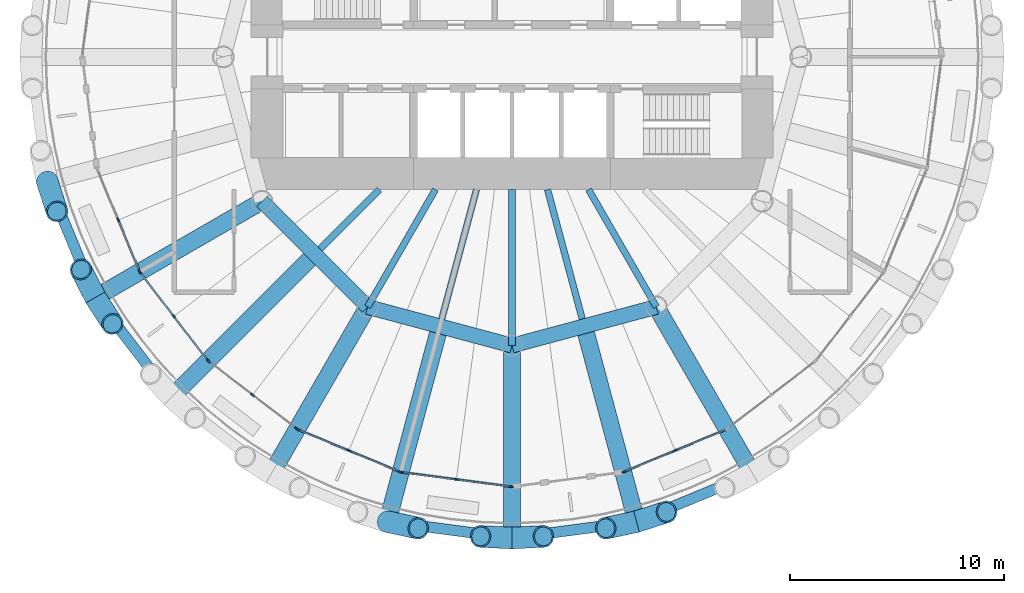
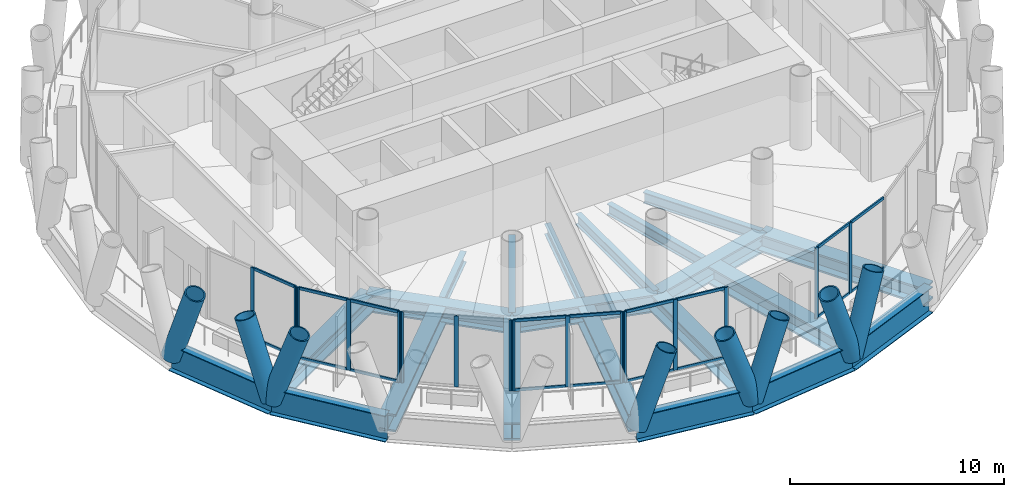
# One storey, part 2 of 14: 42 members, 21 beams, 6 elements without a shape of their own.
"""IFC4 building model written with IfcOpenShell, lengths in metres."""

from ifc_helpers import new_model, si_unit, direction, frame, origin, origin_2d, place, context, subcontext, project, spatial, rectangle, hollow_circle, i_section, extrude, material, material_profile, profile_set, type_object, element, aggregate, save


model = new_model("IFC4")

# Units and contexts
model_context = context("Model", 3, precision=1e-05, world=origin(), true_north=direction((0.0, 1.0)))
body_context = subcontext(model_context, "Body", "Model", "MODEL_VIEW")
ifc_project = project(units=[si_unit("LENGTHUNIT", "METRE"), si_unit("AREAUNIT", "SQUARE_METRE"), si_unit("VOLUMEUNIT", "CUBIC_METRE"), si_unit("PLANEANGLEUNIT", "RADIAN"), si_unit("MASSUNIT", "GRAM", prefix="KILO")], contexts=[model_context])

# Site, building, storey
site_placement = place(None, origin())
site = spatial("IfcSite", under=ifc_project, at=site_placement, CompositionType="ELEMENT")
building_placement = place(site_placement, origin())
building = spatial("IfcBuilding", under=site, at=building_placement, Name="Qaws Media Tower", CompositionType="ELEMENT")
storey_placement = place(building_placement, frame((0.0, 0.0, 227.60009765625)))
storey = spatial("IfcBuildingStorey", under=building, at=storey_placement, Name="L52", CompositionType="ELEMENT", Elevation=227.60009765625)

# Curtain wall, members
ifc_material_1 = material(Name="Aluminium and clear glass", Category="aluminium")
curtain_wall_type = type_object("IfcCurtainWallType", Name="Unitised curtain wall CW-C", PredefinedType="NOTDEFINED", material=ifc_material_1)
curtain_wall_1_placement = place(storey_placement, origin())
curtain_wall_1 = element("IfcCurtainWall", 1, at=curtain_wall_1_placement, inside=storey, type_object=curtain_wall_type, Name="CWC curtain wall L52-14", PredefinedType="NOTDEFINED")
ifc_material_2 = material(Name="Aluminium mullion", Category="aluminium")
ifc_material_profile_1 = material_profile(ifc_material_2, rectangle(XDim=0.080078125, YDim=0.199951171875, at=origin_2d()), Name="80x200")
ifc_profile_set_1 = profile_set([ifc_material_profile_1], Name="Aluminium mullion")
member_type_1 = type_object("IfcMemberType", Name="Curtain wall mullion 80x200", PredefinedType="MULLION", material=ifc_profile_set_1)
member_1_placement = place(storey_placement, frame((41.5888671875, 42.373779296875, 0.0), z_axis=(0.0, 0.0, 1.0), x_axis=(0.92387956029, 0.382683365302, 0.0)))
member_1 = element("IfcMember", 2, at=member_1_placement, type_object=member_type_1, Name="CWC mullion 2", PredefinedType="MULLION", context=body_context, shape_type="SweptSolid", body=[
    extrude(rectangle(XDim=0.080078125, YDim=0.199951171875, at=origin_2d()), origin(), (0.0, 0.0, 1.0), 4.039794921875),
])
member_2_placement = place(storey_placement, frame((42.57763671875, 39.987060546875, 0.0), z_axis=(0.0, 0.0, 1.0), x_axis=(0.92387956029, 0.382683365302, 0.0)))
member_2 = element("IfcMember", 3, at=member_2_placement, type_object=member_type_1, Name="CWC mullion 3", PredefinedType="MULLION", context=body_context, shape_type="SweptSolid", body=[
    extrude(rectangle(XDim=0.080078125, YDim=0.199951171875, at=origin_2d()), origin(), (0.0, 0.0, 1.0), 4.039794921875),
])

curtain_wall_2_placement = place(storey_placement, origin())
curtain_wall_2 = element("IfcCurtainWall", 4, at=curtain_wall_2_placement, inside=storey, type_object=curtain_wall_type, Name="CWC curtain wall L52-15", PredefinedType="NOTDEFINED")
member_3_placement = place(storey_placement, frame((42.6171875, 39.918212890625, 0.0), z_axis=(0.0, 0.0, 1.0), x_axis=(0.793353255855, 0.608761539048, 0.0)))
member_3 = element("IfcMember", 5, at=member_3_placement, type_object=member_type_1, Name="CWC mullion 1", PredefinedType="MULLION", context=body_context, shape_type="SweptSolid", body=[
    extrude(rectangle(XDim=0.080078125, YDim=0.199951171875, at=origin_2d()), origin(), (0.0, 0.0, 1.0), 4.039794921875),
])
member_4_placement = place(storey_placement, frame((44.18994140625, 37.86865234375, 0.0), z_axis=(0.0, 0.0, 1.0), x_axis=(0.793353255855, 0.608761539048, 0.0)))
member_4 = element("IfcMember", 6, at=member_4_placement, type_object=member_type_1, Name="CWC mullion 2", PredefinedType="MULLION", context=body_context, shape_type="SweptSolid", body=[
    extrude(rectangle(XDim=0.080078125, YDim=0.199951171875, at=origin_2d()), origin(), (0.0, 0.0, 1.0), 4.039794921875),
])
member_5_placement = place(storey_placement, frame((45.7626953125, 35.81884765625, 0.0), z_axis=(0.0, 0.0, 1.0), x_axis=(0.793353255855, 0.608761539048, 0.0)))
member_5 = element("IfcMember", 7, at=member_5_placement, type_object=member_type_1, Name="CWC mullion 3", PredefinedType="MULLION", context=body_context, shape_type="SweptSolid", body=[
    extrude(rectangle(XDim=0.080078125, YDim=0.199951171875, at=origin_2d()), origin(), (0.0, 0.0, 1.0), 4.039794921875),
])

curtain_wall_3_placement = place(storey_placement, origin())
curtain_wall_3 = element("IfcCurtainWall", 8, at=curtain_wall_3_placement, inside=storey, type_object=curtain_wall_type, Name="CWC curtain wall L52-16", PredefinedType="NOTDEFINED")
member_6_placement = place(storey_placement, frame((45.81884765625, 35.7626953125, 0.0), z_axis=(0.0, 0.0, 1.0), x_axis=(0.608761539048, 0.793353255855, 0.0)))
member_6 = element("IfcMember", 9, at=member_6_placement, type_object=member_type_1, Name="CWC mullion 1", PredefinedType="MULLION", context=body_context, shape_type="SweptSolid", body=[
    extrude(rectangle(XDim=0.080078125, YDim=0.199951171875, at=origin_2d()), origin(), (0.0, 0.0, 1.0), 4.039794921875),
])
member_7_placement = place(storey_placement, frame((47.86865234375, 34.18994140625, 0.0), z_axis=(0.0, 0.0, 1.0), x_axis=(0.608761539048, 0.793353255855, 0.0)))
member_7 = element("IfcMember", 10, at=member_7_placement, type_object=member_type_1, Name="CWC mullion 2", PredefinedType="MULLION", context=body_context, shape_type="SweptSolid", body=[
    extrude(rectangle(XDim=0.080078125, YDim=0.199951171875, at=origin_2d()), origin(), (0.0, 0.0, 1.0), 4.039794921875),
])
member_8_placement = place(storey_placement, frame((49.918212890625, 32.6171875, 0.0), z_axis=(0.0, 0.0, 1.0), x_axis=(0.608761539048, 0.793353255855, 0.0)))
member_8 = element("IfcMember", 11, at=member_8_placement, type_object=member_type_1, Name="CWC mullion 3", PredefinedType="MULLION", context=body_context, shape_type="SweptSolid", body=[
    extrude(rectangle(XDim=0.080078125, YDim=0.199951171875, at=origin_2d()), origin(), (0.0, 0.0, 1.0), 4.039794921875),
])
aggregate(curtain_wall_3, [member_6, member_7, member_8])

curtain_wall_4_placement = place(storey_placement, origin())
curtain_wall_4 = element("IfcCurtainWall", 12, at=curtain_wall_4_placement, inside=storey, type_object=curtain_wall_type, Name="CWC curtain wall L52-17", PredefinedType="NOTDEFINED")
member_9_placement = place(storey_placement, frame((49.987060546875, 32.57763671875, 0.0), z_axis=(0.0, 0.0, 1.0), x_axis=(0.382683365302, 0.92387956029, 0.0)))
member_9 = element("IfcMember", 13, at=member_9_placement, type_object=member_type_1, Name="CWC mullion 1", PredefinedType="MULLION", context=body_context, shape_type="SweptSolid", body=[
    extrude(rectangle(XDim=0.080078125, YDim=0.199951171875, at=origin_2d()), origin(), (0.0, 0.0, 1.0), 4.039794921875),
])
member_10_placement = place(storey_placement, frame((52.373779296875, 31.5888671875, 0.0), z_axis=(0.0, 0.0, 1.0), x_axis=(0.382683365302, 0.92387956029, 0.0)))
member_10 = element("IfcMember", 14, at=member_10_placement, type_object=member_type_1, Name="CWC mullion 2", PredefinedType="MULLION", context=body_context, shape_type="SweptSolid", body=[
    extrude(rectangle(XDim=0.080078125, YDim=0.199951171875, at=origin_2d()), origin(), (0.0, 0.0, 1.0), 4.039794921875),
])
member_11_placement = place(storey_placement, frame((54.7607421875, 30.60009765625, 0.0), z_axis=(0.0, 0.0, 1.0), x_axis=(0.382683365302, 0.92387956029, 0.0)))
member_11 = element("IfcMember", 15, at=member_11_placement, type_object=member_type_1, Name="CWC mullion 3", PredefinedType="MULLION", context=body_context, shape_type="SweptSolid", body=[
    extrude(rectangle(XDim=0.080078125, YDim=0.199951171875, at=origin_2d()), origin(), (0.0, 0.0, 1.0), 4.039794921875),
])

curtain_wall_5_placement = place(storey_placement, origin())
curtain_wall_5 = element("IfcCurtainWall", 16, at=curtain_wall_5_placement, inside=storey, type_object=curtain_wall_type, Name="CWC curtain wall L52-18", PredefinedType="NOTDEFINED")
member_12_placement = place(storey_placement, frame((54.83740234375, 30.57958984375, 0.0), z_axis=(0.0, 0.0, 1.0), x_axis=(0.130526207759, 0.991444859328, 0.0)))
member_12 = element("IfcMember", 17, at=member_12_placement, type_object=member_type_1, Name="CWC mullion 1", PredefinedType="MULLION", context=body_context, shape_type="SweptSolid", body=[
    extrude(rectangle(XDim=0.080078125, YDim=0.199951171875, at=origin_2d()), origin(), (0.0, 0.0, 1.0), 4.039794921875),
])
member_13_placement = place(storey_placement, frame((57.39892578125, 30.242431640625, 0.0), z_axis=(0.0, 0.0, 1.0), x_axis=(0.130526207759, 0.991444859328, 0.0)))
member_13 = element("IfcMember", 18, at=member_13_placement, type_object=member_type_1, Name="CWC mullion 2", PredefinedType="MULLION", context=body_context, shape_type="SweptSolid", body=[
    extrude(rectangle(XDim=0.080078125, YDim=0.199951171875, at=origin_2d()), origin(), (0.0, 0.0, 1.0), 4.039794921875),
])
member_14_placement = place(storey_placement, frame((59.96044921875, 29.9052734375, 0.0), z_axis=(0.0, 0.0, 1.0), x_axis=(0.130526207759, 0.991444859328, 0.0)))
member_14 = element("IfcMember", 19, at=member_14_placement, type_object=member_type_1, Name="CWC mullion 3", PredefinedType="MULLION", context=body_context, shape_type="SweptSolid", body=[
    extrude(rectangle(XDim=0.080078125, YDim=0.199951171875, at=origin_2d()), origin(), (0.0, 0.0, 1.0), 4.039794921875),
])

curtain_wall_6_placement = place(storey_placement, origin())
curtain_wall_6 = element("IfcCurtainWall", 20, at=curtain_wall_6_placement, inside=storey, type_object=curtain_wall_type, Name="CWC curtain wall L52-20", PredefinedType="NOTDEFINED")
member_15_placement = place(storey_placement, frame((65.2392578125, 30.60009765625, 0.0), z_axis=(0.0, 0.0, 1.0), x_axis=(-0.382683365302, 0.92387956029, 0.0)))
member_15 = element("IfcMember", 21, at=member_15_placement, type_object=member_type_1, Name="CWC mullion 1", PredefinedType="MULLION", context=body_context, shape_type="SweptSolid", body=[
    extrude(rectangle(XDim=0.080078125, YDim=0.199951171875, at=origin_2d()), origin(), (0.0, 0.0, 1.0), 4.039794921875),
])
member_16_placement = place(storey_placement, frame((67.626220703125, 31.5888671875, 0.0), z_axis=(0.0, 0.0, 1.0), x_axis=(-0.382683365302, 0.92387956029, 0.0)))
member_16 = element("IfcMember", 22, at=member_16_placement, type_object=member_type_1, Name="CWC mullion 2", PredefinedType="MULLION", context=body_context, shape_type="SweptSolid", body=[
    extrude(rectangle(XDim=0.080078125, YDim=0.199951171875, at=origin_2d()), origin(), (0.0, 0.0, 1.0), 4.039794921875),
])

# Member
ifc_material_3 = material(Name="Aluminium transom", Category="aluminium")
ifc_material_profile_2 = material_profile(ifc_material_3, rectangle(XDim=0.080078125, YDim=0.159912109375, at=origin_2d()), Name="80x160")
ifc_profile_set_2 = profile_set([ifc_material_profile_2], Name="Aluminium transom")
member_type_2 = type_object("IfcMemberType", Name="Curtain wall transom 80x160", PredefinedType="USERDEFINED", material=ifc_profile_set_2)
member_17_placement = place(storey_placement, frame((41.604248046875, 42.3369140625, 0.039794921875), z_axis=(0.382661849723, -0.923888472039, 0.0), x_axis=(0.923888472039, 0.382661849723, 0.0)))
member_17 = element("IfcMember", 23, at=member_17_placement, type_object=member_type_2, Name="CWC transom 2.1", ObjectType="TRANSOM", PredefinedType="USERDEFINED", context=body_context, shape_type="SweptSolid", body=[
    extrude(rectangle(XDim=0.080078125, YDim=0.159912109375, at=origin_2d()), origin(), (0.0, 0.0, 1.0), 2.50341796875),
])

member_18_placement = place(storey_placement, frame((41.604248046875, 42.3369140625, 4.0), z_axis=(0.382661849723, -0.923888472039, 0.0), x_axis=(0.923888472039, 0.382661849723, 0.0)))
member_18 = element("IfcMember", 24, at=member_18_placement, type_object=member_type_2, Name="CWC transom 2.2", ObjectType="TRANSOM", PredefinedType="USERDEFINED", context=body_context, shape_type="SweptSolid", body=[
    extrude(rectangle(XDim=0.080078125, YDim=0.159912109375, at=origin_2d()), origin(), (0.0, 0.0, 1.0), 2.50341796875),
])

aggregate(curtain_wall_1, [member_1, member_2, member_17, member_18])

member_19_placement = place(storey_placement, frame((42.6416015625, 39.886474609375, 0.039794921875), z_axis=(0.608810221501, -0.793315898111, 0.0), x_axis=(0.793315898111, 0.608810221501, 0.0)))
member_19 = element("IfcMember", 25, at=member_19_placement, type_object=member_type_2, Name="CWC transom 1.1", ObjectType="TRANSOM", PredefinedType="USERDEFINED", context=body_context, shape_type="SweptSolid", body=[
    extrude(rectangle(XDim=0.080078125, YDim=0.159912109375, at=origin_2d()), origin(), (0.0, 0.0, 1.0), 2.50341796875),
])

member_20_placement = place(storey_placement, frame((42.6416015625, 39.886474609375, 4.0), z_axis=(0.608810221501, -0.793315898111, 0.0), x_axis=(0.793315898111, 0.608810221501, 0.0)))
member_20 = element("IfcMember", 26, at=member_20_placement, type_object=member_type_2, Name="CWC transom 1.2", ObjectType="TRANSOM", PredefinedType="USERDEFINED", context=body_context, shape_type="SweptSolid", body=[
    extrude(rectangle(XDim=0.080078125, YDim=0.159912109375, at=origin_2d()), origin(), (0.0, 0.0, 1.0), 2.50341796875),
])

member_21_placement = place(storey_placement, frame((44.21435546875, 37.8369140625, 0.039794921875), z_axis=(0.608763124529, -0.79335203927, 0.0), x_axis=(0.79335203927, 0.608763124529, 0.0)))
member_21 = element("IfcMember", 27, at=member_21_placement, type_object=member_type_2, Name="CWC transom 2.1", ObjectType="TRANSOM", PredefinedType="USERDEFINED", context=body_context, shape_type="SweptSolid", body=[
    extrude(rectangle(XDim=0.080078125, YDim=0.159912109375, at=origin_2d()), origin(), (0.0, 0.0, 1.0), 2.503662109375),
])

member_22_placement = place(storey_placement, frame((44.21435546875, 37.8369140625, 4.0), z_axis=(0.608763124529, -0.79335203927, 0.0), x_axis=(0.79335203927, 0.608763124529, 0.0)))
member_22 = element("IfcMember", 28, at=member_22_placement, type_object=member_type_2, Name="CWC transom 2.2", ObjectType="TRANSOM", PredefinedType="USERDEFINED", context=body_context, shape_type="SweptSolid", body=[
    extrude(rectangle(XDim=0.080078125, YDim=0.159912109375, at=origin_2d()), origin(), (0.0, 0.0, 1.0), 2.503662109375),
])

aggregate(curtain_wall_2, [member_3, member_4, member_5, member_19, member_20, member_21, member_22])

member_23_placement = place(storey_placement, frame((50.02392578125, 32.562255859375, 0.039794921875), z_axis=(0.923888472039, -0.382661849723, 0.0), x_axis=(0.382661849723, 0.923888472039, 0.0)))
member_23 = element("IfcMember", 29, at=member_23_placement, type_object=member_type_2, Name="CWC transom 1.1", ObjectType="TRANSOM", PredefinedType="USERDEFINED", context=body_context, shape_type="SweptSolid", body=[
    extrude(rectangle(XDim=0.080078125, YDim=0.159912109375, at=origin_2d()), origin(), (0.0, 0.0, 1.0), 2.50341796875),
])

member_24_placement = place(storey_placement, frame((50.02392578125, 32.562255859375, 4.0), z_axis=(0.923888472039, -0.382661849723, 0.0), x_axis=(0.382661849723, 0.923888472039, 0.0)))
member_24 = element("IfcMember", 30, at=member_24_placement, type_object=member_type_2, Name="CWC transom 1.2", ObjectType="TRANSOM", PredefinedType="USERDEFINED", context=body_context, shape_type="SweptSolid", body=[
    extrude(rectangle(XDim=0.080078125, YDim=0.159912109375, at=origin_2d()), origin(), (0.0, 0.0, 1.0), 2.50341796875),
])

member_25_placement = place(storey_placement, frame((52.410888671875, 31.573486328125, 0.039794921875), z_axis=(0.923888472039, -0.382661849723, 0.0), x_axis=(0.382661849723, 0.923888472039, 0.0)))
member_25 = element("IfcMember", 31, at=member_25_placement, type_object=member_type_2, Name="CWC transom 2.1", ObjectType="TRANSOM", PredefinedType="USERDEFINED", context=body_context, shape_type="SweptSolid", body=[
    extrude(rectangle(XDim=0.080078125, YDim=0.159912109375, at=origin_2d()), origin(), (0.0, 0.0, 1.0), 2.50341796875),
])

member_26_placement = place(storey_placement, frame((52.410888671875, 31.573486328125, 4.0), z_axis=(0.923888472039, -0.382661849723, 0.0), x_axis=(0.382661849723, 0.923888472039, 0.0)))
member_26 = element("IfcMember", 32, at=member_26_placement, type_object=member_type_2, Name="CWC transom 2.2", ObjectType="TRANSOM", PredefinedType="USERDEFINED", context=body_context, shape_type="SweptSolid", body=[
    extrude(rectangle(XDim=0.080078125, YDim=0.159912109375, at=origin_2d()), origin(), (0.0, 0.0, 1.0), 2.50341796875),
])

aggregate(curtain_wall_4, [member_9, member_10, member_11, member_23, member_24, member_25, member_26])

member_27_placement = place(storey_placement, frame((54.876953125, 30.574462890625, 0.039794921875), z_axis=(0.991438688651, -0.130573070139, 0.0), x_axis=(0.130573070139, 0.991438688651, 0.0)))
member_27 = element("IfcMember", 33, at=member_27_placement, type_object=member_type_2, Name="CWC transom 1.1", ObjectType="TRANSOM", PredefinedType="USERDEFINED", context=body_context, shape_type="SweptSolid", body=[
    extrude(rectangle(XDim=0.080078125, YDim=0.159912109375, at=origin_2d()), origin(), (0.0, 0.0, 1.0), 2.503662109375),
])

member_28_placement = place(storey_placement, frame((54.876953125, 30.574462890625, 4.0), z_axis=(0.991438688651, -0.130573070139, 0.0), x_axis=(0.130573070139, 0.991438688651, 0.0)))
member_28 = element("IfcMember", 34, at=member_28_placement, type_object=member_type_2, Name="CWC transom 1.2", ObjectType="TRANSOM", PredefinedType="USERDEFINED", context=body_context, shape_type="SweptSolid", body=[
    extrude(rectangle(XDim=0.080078125, YDim=0.159912109375, at=origin_2d()), origin(), (0.0, 0.0, 1.0), 2.503662109375),
])

member_29_placement = place(storey_placement, frame((57.4384765625, 30.2373046875, 0.039794921875), z_axis=(0.991438688651, -0.130573070139, 0.0), x_axis=(0.130573070139, 0.991438688651, 0.0)))
member_29 = element("IfcMember", 35, at=member_29_placement, type_object=member_type_2, Name="CWC transom 2.1", ObjectType="TRANSOM", PredefinedType="USERDEFINED", context=body_context, shape_type="SweptSolid", body=[
    extrude(rectangle(XDim=0.080078125, YDim=0.159912109375, at=origin_2d()), origin(), (0.0, 0.0, 1.0), 2.503662109375),
])

member_30_placement = place(storey_placement, frame((57.4384765625, 30.2373046875, 4.0), z_axis=(0.991438688651, -0.130573070139, 0.0), x_axis=(0.130573070139, 0.991438688651, 0.0)))
member_30 = element("IfcMember", 36, at=member_30_placement, type_object=member_type_2, Name="CWC transom 2.2", ObjectType="TRANSOM", PredefinedType="USERDEFINED", context=body_context, shape_type="SweptSolid", body=[
    extrude(rectangle(XDim=0.080078125, YDim=0.159912109375, at=origin_2d()), origin(), (0.0, 0.0, 1.0), 2.503662109375),
])

aggregate(curtain_wall_5, [member_12, member_13, member_14, member_27, member_28, member_29, member_30])

member_31_placement = place(storey_placement, frame((65.276123046875, 30.615478515625, 0.039794921875), z_axis=(0.923888472039, 0.382661849723, 0.0), x_axis=(-0.382661849723, 0.923888472039, 0.0)))
member_31 = element("IfcMember", 37, at=member_31_placement, type_object=member_type_2, Name="CWC transom 1.1", ObjectType="TRANSOM", PredefinedType="USERDEFINED", context=body_context, shape_type="SweptSolid", body=[
    extrude(rectangle(XDim=0.080078125, YDim=0.159912109375, at=origin_2d()), origin(), (0.0, 0.0, 1.0), 2.50341796875),
])

member_32_placement = place(storey_placement, frame((65.276123046875, 30.615478515625, 4.0), z_axis=(0.923888472039, 0.382661849723, 0.0), x_axis=(-0.382661849723, 0.923888472039, 0.0)))
member_32 = element("IfcMember", 38, at=member_32_placement, type_object=member_type_2, Name="CWC transom 1.2", ObjectType="TRANSOM", PredefinedType="USERDEFINED", context=body_context, shape_type="SweptSolid", body=[
    extrude(rectangle(XDim=0.080078125, YDim=0.159912109375, at=origin_2d()), origin(), (0.0, 0.0, 1.0), 2.50341796875),
])

member_33_placement = place(storey_placement, frame((67.6630859375, 31.604248046875, 0.039794921875), z_axis=(0.923888472039, 0.382661849723, 0.0), x_axis=(-0.382661849723, 0.923888472039, 0.0)))
member_33 = element("IfcMember", 39, at=member_33_placement, type_object=member_type_2, Name="CWC transom 2.1", ObjectType="TRANSOM", PredefinedType="USERDEFINED", context=body_context, shape_type="SweptSolid", body=[
    extrude(rectangle(XDim=0.080078125, YDim=0.159912109375, at=origin_2d()), origin(), (0.0, 0.0, 1.0), 2.50341796875),
])

member_34_placement = place(storey_placement, frame((67.6630859375, 31.604248046875, 4.0), z_axis=(0.923888472039, 0.382661849723, 0.0), x_axis=(-0.382661849723, 0.923888472039, 0.0)))
member_34 = element("IfcMember", 40, at=member_34_placement, type_object=member_type_2, Name="CWC transom 2.2", ObjectType="TRANSOM", PredefinedType="USERDEFINED", context=body_context, shape_type="SweptSolid", body=[
    extrude(rectangle(XDim=0.080078125, YDim=0.159912109375, at=origin_2d()), origin(), (0.0, 0.0, 1.0), 2.50341796875),
])

aggregate(curtain_wall_6, [member_15, member_16, member_31, member_32, member_33, member_34])

# Members
ifc_material_4 = material(Name="Steel S460", Category="steel")
ifc_material_profile_3 = material_profile(ifc_material_4, hollow_circle(Radius=0.508056640625, WallThickness=0.070068359375, at=origin_2d()), Name="CHS 1016x70")
ifc_profile_set_3 = profile_set([ifc_material_profile_3], Name="Steel S460")
member_type_3 = type_object("IfcMemberType", Name="Diagrid member CHS 1016x70", PredefinedType="USERDEFINED", material=ifc_profile_set_3)
for number, where, z_axis, x_axis, name in (
    (41, (38.2666015625, 44.176513671875, -0.91015625), (0.101378983785, -0.314779550303, 0.943735204577), (0.951852353901, 0.306556840364, 0.0), "DG3 diagrid L52 A14"),
    (42, (40.514404296875, 38.75, -0.91015625), (0.179388879752, -0.277805898185, 0.943739112655), (0.84007717777, 0.542466897967, 0.0), "DG3 diagrid L52 A15"),
    (43, (40.514404296875, 38.75, -0.91015625), (-0.150916271681, 0.294262043365, 0.94373414094), (-0.889801918765, -0.456346957219, 0.0), "DG3 diagrid L52 B15"),
    (44, (54.176513671875, 28.2666015625, -0.91015625), (0.323283600467, -0.06961596623, 0.943737956699), (0.210514612597, 0.977590710821, 0.0), "DG3 diagrid L52 A18"),
    (45, (60.0, 27.5, -0.91015625), (0.330303240189, 0.016457560548, 0.943731380331), (-0.049763876967, 0.998761010727, 0.0), "DG3 diagrid L52 A19"),
    (46, (60.0, 27.5, -0.91015625), (-0.330303240189, 0.016457560548, 0.943731380331), (-0.049763876967, -0.998761010727, 0.0), "DG3 diagrid L52 B19"),
    (47, (65.823486328125, 28.2666015625, -0.91015625), (0.314779550303, 0.101378983785, 0.943735204577), (-0.306556840364, 0.951852353901, 0.0), "DG3 diagrid L52 A20"),
    (48, (65.823486328125, 28.2666015625, -0.91015625), (-0.323283600467, -0.06961596623, 0.943737956699), (0.210514612597, -0.977590710821, 0.0), "DG3 diagrid L52 B20"),
):
    element("IfcMember", number, at=place(storey_placement, frame(where, z_axis=z_axis, x_axis=x_axis)), inside=storey, type_object=member_type_3, Name=name, ObjectType="DIAGRID", PredefinedType="USERDEFINED", context=body_context, shape_type="SweptSolid", body=[
        extrude(hollow_circle(Radius=0.508056640625, WallThickness=0.070068359375, at=origin_2d()), origin(), (0.0, 0.0, 1.0), 4.450439453125),
    ])

# Beams
ifc_material_5 = material(Name="Steel S460", Category="steel")
ifc_material_profile_4 = material_profile(ifc_material_5, i_section(OverallWidth=0.5, OverallDepth=1.5, WebThickness=0.02001953125, FlangeThickness=0.0400390625, at=origin_2d()), Name="PG 1500x500")
ifc_profile_set_4 = profile_set([ifc_material_profile_4], Name="Steel S460")
beam_type_1 = type_object("IfcBeamType", Name="Edge ring beam PG 1500x500", PredefinedType="BEAM", material=ifc_profile_set_4)
beam_1_placement = place(storey_placement, frame((38.2666015625, 44.176513671875, -0.91015625), z_axis=(0.382693194178, -0.923875488976, 0.0), x_axis=(0.923875488976, 0.382693194178, 0.0)))
element("IfcBeam", 49, at=beam_1_placement, inside=storey, type_object=beam_type_1, Name="RB4 edge ring beam L52-14", PredefinedType="BEAM", context=body_context, shape_type="SweptSolid", body=[
    extrude(i_section(OverallWidth=0.5, OverallDepth=1.5, WebThickness=0.02001953125, FlangeThickness=0.0400390625, at=origin_2d()), origin(), (0.0, 0.0, 1.0), 5.87353515625),
])
for number, where, z_axis, x_axis, name in (
    (50, (40.514404296875, 38.75, -0.91015625), (0.608762208108, -0.793352742466, 0.0), (0.793352742466, 0.608762208108, 0.0), "RB4 edge ring beam L52-15"),
    (51, (54.176513671875, 28.2666015625, -0.91015625), (0.991446512747, -0.13051364818, 0.0), (0.13051364818, 0.991446512747, 0.0), "RB4 edge ring beam L52-18"),
    (52, (60.0, 27.5, -0.91015625), (0.991446512747, 0.13051364818, 0.0), (-0.13051364818, 0.991446512747, 0.0), "RB4 edge ring beam L52-19"),
):
    element("IfcBeam", number, at=place(storey_placement, frame(where, z_axis=z_axis, x_axis=x_axis)), inside=storey, type_object=beam_type_1, Name=name, PredefinedType="BEAM", context=body_context, shape_type="SweptSolid", body=[
        extrude(i_section(OverallWidth=0.5, OverallDepth=1.5, WebThickness=0.02001953125, FlangeThickness=0.0400390625, at=origin_2d()), origin(), (0.0, 0.0, 1.0), 5.873779296875),
    ])
beam_2_placement = place(storey_placement, frame((65.823486328125, 28.2666015625, -0.91015625), z_axis=(0.923875488976, 0.382693194178, 0.0), x_axis=(-0.382693194178, 0.923875488976, 0.0)))
element("IfcBeam", 53, at=beam_2_placement, inside=storey, type_object=beam_type_1, Name="RB4 edge ring beam L52-20", PredefinedType="BEAM", context=body_context, shape_type="SweptSolid", body=[
    extrude(i_section(OverallWidth=0.5, OverallDepth=1.5, WebThickness=0.02001953125, FlangeThickness=0.0400390625, at=origin_2d()), origin(), (0.0, 0.0, 1.0), 5.87353515625),
])
ifc_material_6 = material(Name="Steel S460", Category="steel")
ifc_material_profile_5 = material_profile(ifc_material_6, i_section(OverallWidth=0.699951171875, OverallDepth=1.0, WebThickness=0.034912109375, FlangeThickness=0.090087890625, at=origin_2d()), Name="PG 1000x700")
ifc_profile_set_5 = profile_set([ifc_material_profile_5], Name="Steel S460")
beam_type_2 = type_object("IfcBeamType", Name="Inner ring girder PG 1000x700", PredefinedType="BEAM", material=ifc_profile_set_5)
beam_3_placement = place(storey_placement, frame((48.30859375, 43.25, -0.66015625), z_axis=(0.707106781187, -0.707106781187, 0.0), x_axis=(0.707106781187, 0.707106781187, 0.0)))
element("IfcBeam", 54, at=beam_3_placement, inside=storey, type_object=beam_type_2, Name="B3 inner ring beam L52 I08-I09", PredefinedType="BEAM", context=body_context, shape_type="SweptSolid", body=[
    extrude(i_section(OverallWidth=0.699951171875, OverallDepth=1.0, WebThickness=0.034912109375, FlangeThickness=0.090087890625, at=origin_2d()), origin(), (0.0, 0.0, 1.0), 6.98828125),
])
for number, where, z_axis, x_axis, name in (
    (55, (53.25, 38.30859375, -0.66015625), (0.965928090778, -0.258810593767, 0.0), (0.258810593767, 0.965928090778, 0.0), "B3 inner ring beam L52 I09-I10"),
    (56, (60.0, 36.5, -0.66015625), (0.965928090778, 0.258810593767, 0.0), (-0.258810593767, 0.965928090778, 0.0), "B3 inner ring beam L52 I10-I11"),
):
    element("IfcBeam", number, at=place(storey_placement, frame(where, z_axis=z_axis, x_axis=x_axis)), inside=storey, type_object=beam_type_2, Name=name, PredefinedType="BEAM", context=body_context, shape_type="SweptSolid", body=[
        extrude(i_section(OverallWidth=0.699951171875, OverallDepth=1.0, WebThickness=0.034912109375, FlangeThickness=0.090087890625, at=origin_2d()), origin(), (0.0, 0.0, 1.0), 6.988037109375),
    ])
ifc_material_7 = material(Name="Steel S355", Category="steel")
ifc_material_profile_6 = material_profile(ifc_material_7, i_section(OverallWidth=0.304931640625, OverallDepth=0.6201171875, WebThickness=0.02099609375, FlangeThickness=0.0400390625, FilletRadius=0.027099609375, at=origin_2d()), Name="HE 600 M")
ifc_profile_set_6 = profile_set([ifc_material_profile_6], Name="Steel S355")
beam_type_3 = type_object("IfcBeamType", Name="Radial beam HE 600 M, core side", PredefinedType="BEAM", material=ifc_profile_set_6)
beam_4_placement = place(storey_placement, frame((53.800048828125, 43.800048828125, -0.47021484375), z_axis=(-0.707106781187, -0.707106781187, 0.0), x_axis=(0.707106781187, -0.707106781187, 0.0)))
element("IfcBeam", 57, at=beam_4_placement, inside=storey, type_object=beam_type_3, Name="B2 radial beam L52 16", PredefinedType="BEAM", context=body_context, shape_type="SweptSolid", body=[
    extrude(i_section(OverallWidth=0.304931640625, OverallDepth=0.6201171875, WebThickness=0.02099609375, FlangeThickness=0.0400390625, FilletRadius=0.027099609375, at=origin_2d()), origin(), (0.0, 0.0, 1.0), 3.921875),
])
beam_5_placement = place(storey_placement, frame((56.42041015625, 43.800048828125, -0.47021484375), z_axis=(-0.499990193304, -0.866031065609, 0.0), x_axis=(0.866031065609, -0.499990193304, 0.0)))
element("IfcBeam", 58, at=beam_5_placement, inside=storey, type_object=beam_type_3, Name="B2 radial beam L52 17", PredefinedType="BEAM", context=body_context, shape_type="SweptSolid", body=[
    extrude(i_section(OverallWidth=0.304931640625, OverallDepth=0.6201171875, WebThickness=0.02099609375, FlangeThickness=0.0400390625, FilletRadius=0.027099609375, at=origin_2d()), origin(), (0.0, 0.0, 1.0), 6.341064453125),
])
beam_6_placement = place(storey_placement, frame((58.338623046875, 43.800048828125, -0.47021484375), z_axis=(-0.258806137559, -0.965929284763, 0.0), x_axis=(0.965929284763, -0.258806137559, 0.0)))
element("IfcBeam", 59, at=beam_6_placement, inside=storey, type_object=beam_type_3, Name="B2 radial beam L52 18", PredefinedType="BEAM", context=body_context, shape_type="SweptSolid", body=[
    extrude(i_section(OverallWidth=0.304931640625, OverallDepth=0.6201171875, WebThickness=0.02099609375, FlangeThickness=0.0400390625, FilletRadius=0.027099609375, at=origin_2d()), origin(), (0.0, 0.0, 1.0), 6.271240234375),
])
beam_7_placement = place(storey_placement, frame((60.0, 43.800048828125, -0.47021484375), z_axis=(0.0, -1.0, 0.0), x_axis=(1.0, 0.0, 0.0)))
element("IfcBeam", 60, at=beam_7_placement, inside=storey, type_object=beam_type_3, Name="B2 radial beam L52 19", PredefinedType="BEAM", context=body_context, shape_type="SweptSolid", body=[
    extrude(i_section(OverallWidth=0.304931640625, OverallDepth=0.6201171875, WebThickness=0.02099609375, FlangeThickness=0.0400390625, FilletRadius=0.027099609375, at=origin_2d()), origin(), (0.0, 0.0, 1.0), 7.300048828125),
])
beam_8_placement = place(storey_placement, frame((61.661376953125, 43.800048828125, -0.47021484375), z_axis=(0.258806137559, -0.965929284763, 0.0), x_axis=(0.965929284763, 0.258806137559, 0.0)))
element("IfcBeam", 61, at=beam_8_placement, inside=storey, type_object=beam_type_3, Name="B2 radial beam L52 20", PredefinedType="BEAM", context=body_context, shape_type="SweptSolid", body=[
    extrude(i_section(OverallWidth=0.304931640625, OverallDepth=0.6201171875, WebThickness=0.02099609375, FlangeThickness=0.0400390625, FilletRadius=0.027099609375, at=origin_2d()), origin(), (0.0, 0.0, 1.0), 6.271240234375),
])
beam_9_placement = place(storey_placement, frame((63.57958984375, 43.800048828125, -0.47021484375), z_axis=(0.499990193304, -0.866031065609, 0.0), x_axis=(0.866031065609, 0.499990193304, 0.0)))
element("IfcBeam", 62, at=beam_9_placement, inside=storey, type_object=beam_type_3, Name="B2 radial beam L52 21", PredefinedType="BEAM", context=body_context, shape_type="SweptSolid", body=[
    extrude(i_section(OverallWidth=0.304931640625, OverallDepth=0.6201171875, WebThickness=0.02099609375, FlangeThickness=0.0400390625, FilletRadius=0.027099609375, at=origin_2d()), origin(), (0.0, 0.0, 1.0), 6.341064453125),
])
ifc_material_8 = material(Name="Steel S460", Category="steel")
ifc_material_profile_7 = material_profile(ifc_material_8, i_section(OverallWidth=0.800048828125, OverallDepth=1.0, WebThickness=0.0400390625, FlangeThickness=0.10009765625, at=origin_2d()), Name="PG 1000x800")
ifc_profile_set_7 = profile_set([ifc_material_profile_7], Name="Steel S460")
beam_type_4 = type_object("IfcBeamType", Name="Radial girder PG 1000x800", PredefinedType="BEAM", material=ifc_profile_set_7)
beam_10_placement = place(storey_placement, frame((48.30859375, 43.25, -0.66015625), z_axis=(-0.866024315419, -0.5000018851, 0.0), x_axis=(0.5000018851, -0.866024315419, 0.0)))
element("IfcBeam", 63, at=beam_10_placement, inside=storey, type_object=beam_type_4, Name="B1 radial beam L52 15", PredefinedType="BEAM", context=body_context, shape_type="SweptSolid", body=[
    extrude(i_section(OverallWidth=0.800048828125, OverallDepth=1.0, WebThickness=0.0400390625, FlangeThickness=0.10009765625, at=origin_2d()), origin(), (0.0, 0.0, 1.0), 9.0),
])
beam_11_placement = place(storey_placement, frame((50.53173828125, 40.53173828125, -0.66015625), z_axis=(-0.707106781187, -0.707106781187, 0.0), x_axis=(0.707106781187, -0.707106781187, 0.0)))
element("IfcBeam", 64, at=beam_11_placement, inside=storey, type_object=beam_type_4, Name="B1 radial beam L52 16", PredefinedType="BEAM", context=body_context, shape_type="SweptSolid", body=[
    extrude(i_section(OverallWidth=0.800048828125, OverallDepth=1.0, WebThickness=0.0400390625, FlangeThickness=0.10009765625, at=origin_2d()), origin(), (0.0, 0.0, 1.0), 9.10986328125),
])
beam_12_placement = place(storey_placement, frame((53.25, 38.30859375, -0.66015625), z_axis=(-0.5000018851, -0.866024315419, 0.0), x_axis=(0.866024315419, -0.5000018851, 0.0)))
element("IfcBeam", 65, at=beam_12_placement, inside=storey, type_object=beam_type_4, Name="B1 radial beam L52 17", PredefinedType="BEAM", context=body_context, shape_type="SweptSolid", body=[
    extrude(i_section(OverallWidth=0.800048828125, OverallDepth=1.0, WebThickness=0.0400390625, FlangeThickness=0.10009765625, at=origin_2d()), origin(), (0.0, 0.0, 1.0), 9.0),
])
beam_13_placement = place(storey_placement, frame((56.534423828125, 37.066162109375, -0.66015625), z_axis=(-0.258826727753, -0.965923767696, 0.0), x_axis=(0.965923767696, -0.258826727753, 0.0)))
element("IfcBeam", 66, at=beam_13_placement, inside=storey, type_object=beam_type_4, Name="B1 radial beam L52 18", PredefinedType="BEAM", context=body_context, shape_type="SweptSolid", body=[
    extrude(i_section(OverallWidth=0.800048828125, OverallDepth=1.0, WebThickness=0.0400390625, FlangeThickness=0.10009765625, at=origin_2d()), origin(), (0.0, 0.0, 1.0), 9.110107421875),
])
beam_14_placement = place(storey_placement, frame((60.0, 36.5, -0.66015625), z_axis=(0.0, -1.0, 0.0), x_axis=(1.0, 0.0, 0.0)))
element("IfcBeam", 67, at=beam_14_placement, inside=storey, type_object=beam_type_4, Name="B1 radial beam L52 19", PredefinedType="BEAM", context=body_context, shape_type="SweptSolid", body=[
    extrude(i_section(OverallWidth=0.800048828125, OverallDepth=1.0, WebThickness=0.0400390625, FlangeThickness=0.10009765625, at=origin_2d()), origin(), (0.0, 0.0, 1.0), 9.0),
])
beam_15_placement = place(storey_placement, frame((63.465576171875, 37.066162109375, -0.66015625), z_axis=(0.258826727753, -0.965923767696, 0.0), x_axis=(0.965923767696, 0.258826727753, 0.0)))
element("IfcBeam", 68, at=beam_15_placement, inside=storey, type_object=beam_type_4, Name="B1 radial beam L52 20", PredefinedType="BEAM", context=body_context, shape_type="SweptSolid", body=[
    extrude(i_section(OverallWidth=0.800048828125, OverallDepth=1.0, WebThickness=0.0400390625, FlangeThickness=0.10009765625, at=origin_2d()), origin(), (0.0, 0.0, 1.0), 9.110107421875),
])
beam_16_placement = place(storey_placement, frame((66.75, 38.30859375, -0.66015625), z_axis=(0.5000018851, -0.866024315419, 0.0), x_axis=(0.866024315419, 0.5000018851, 0.0)))
element("IfcBeam", 69, at=beam_16_placement, inside=storey, type_object=beam_type_4, Name="B1 radial beam L52 21", PredefinedType="BEAM", context=body_context, shape_type="SweptSolid", body=[
    extrude(i_section(OverallWidth=0.800048828125, OverallDepth=1.0, WebThickness=0.0400390625, FlangeThickness=0.10009765625, at=origin_2d()), origin(), (0.0, 0.0, 1.0), 9.0),
])

save(model, "model.ifc")
